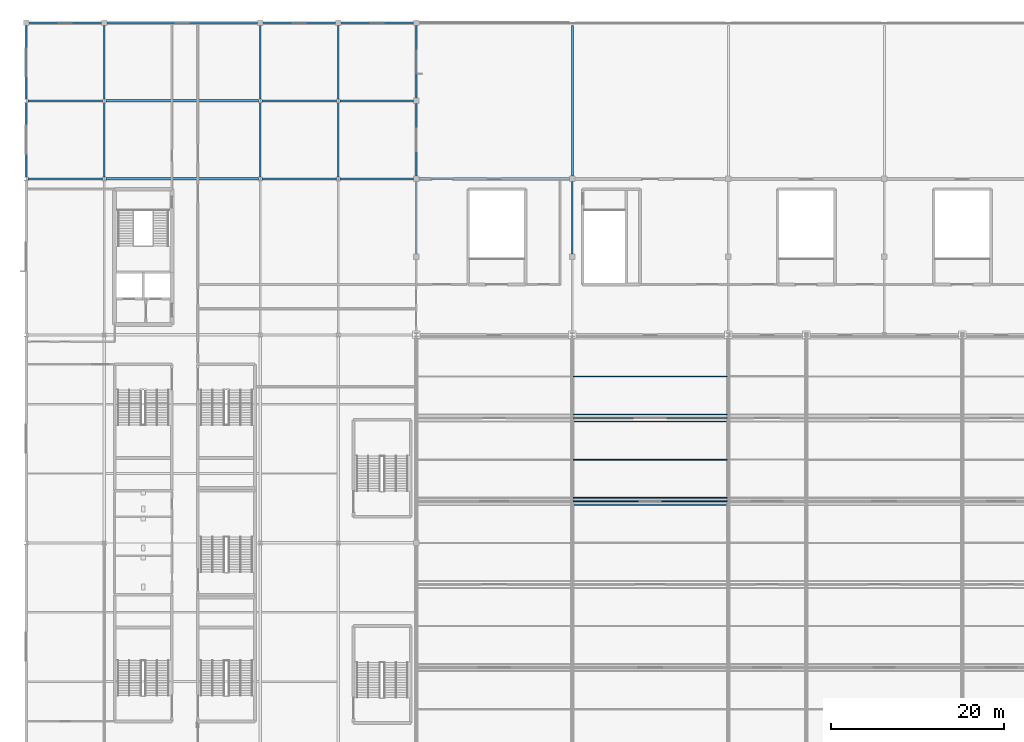
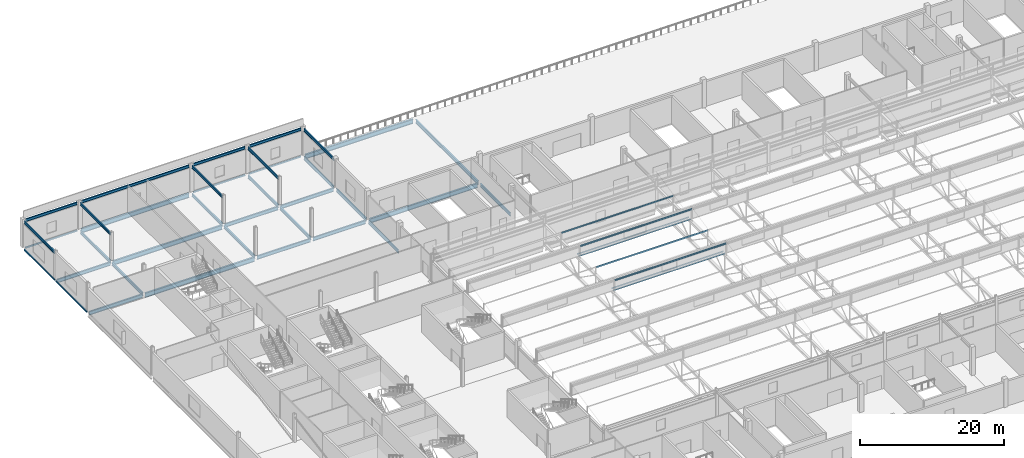
# One storey, part 47 of 136: 36 beams, 8 members.
"""IFC4 building model written with IfcOpenShell, lengths in metres."""

from ifc_helpers import new_model, si_unit, direction, frame, origin, origin_2d, place, context, subcontext, project, spatial, hollow_rectangle, i_section, u_section, extrude, material, material_profile, profile_set, type_object, element, save


model = new_model("IFC4")

# Units and contexts
model_context = context("Model", 3, precision=1e-05, world=origin(), true_north=direction((0.0, 1.0)))
body_context = subcontext(model_context, "Body", "Model", "MODEL_VIEW")
ifc_project = project(units=[si_unit("LENGTHUNIT", "METRE"), si_unit("AREAUNIT", "SQUARE_METRE"), si_unit("VOLUMEUNIT", "CUBIC_METRE"), si_unit("PLANEANGLEUNIT", "RADIAN"), si_unit("MASSUNIT", "GRAM", prefix="KILO")], contexts=[model_context])

# Site, building, storey
site_placement = place(None, origin())
site = spatial("IfcSite", under=ifc_project, at=site_placement, CompositionType="ELEMENT")
building_placement = place(site_placement, origin())
building = spatial("IfcBuilding", under=site, at=building_placement, Name="Kisiwana Market Hall", CompositionType="ELEMENT")
storey_placement = place(building_placement, frame((0.0, 0.0, 16.800048828125)))
storey = spatial("IfcBuildingStorey", under=building, at=storey_placement, Name="L03", CompositionType="ELEMENT", Elevation=16.800048828125)

# Beams
ifc_material_1 = material(Name="Steel S355", Category="steel")
ifc_material_profile_1 = material_profile(ifc_material_1, i_section(OverallWidth=0.19140625, OverallDepth=0.4599609375, WebThickness=0.010009765625, FlangeThickness=0.01611328125, at=origin_2d()), Name="UB 457x191x82")
ifc_profile_set_1 = profile_set([ifc_material_profile_1], Name="Steel S355")
beam_type_1 = type_object("IfcBeamType", Name="BM-GIRD-UB457H", PredefinedType="BEAM", material=ifc_profile_set_1)
beam_1_placement = place(storey_placement, frame((0.321044921875, 120.0, 4.27783203125), z_axis=(1.0, 0.0, 0.0), x_axis=(0.0, 1.0, 0.0)))
element("IfcBeam", 1, at=beam_1_placement, inside=storey, type_object=beam_type_1, Name="Roof girder B-1110", PredefinedType="BEAM", context=body_context, shape_type="SweptSolid", body=[
    extrude(i_section(OverallWidth=0.19140625, OverallDepth=0.4599609375, WebThickness=0.010009765625, FlangeThickness=0.01611328125, at=origin_2d()), origin(), (0.0, 0.0, 1.0), 8.35791015625),
])
beam_2_placement = place(storey_placement, frame((9.321044921875, 120.0, 4.27783203125), z_axis=(1.0, 0.0, 0.0), x_axis=(0.0, 1.0, 0.0)))
element("IfcBeam", 2, at=beam_2_placement, inside=storey, type_object=beam_type_1, Name="Roof girder B-1111", PredefinedType="BEAM", context=body_context, shape_type="SweptSolid", body=[
    extrude(i_section(OverallWidth=0.19140625, OverallDepth=0.4599609375, WebThickness=0.010009765625, FlangeThickness=0.01611328125, at=origin_2d()), origin(), (0.0, 0.0, 1.0), 17.35791015625),
])
for number, where, z_axis, x_axis, name in (
    (3, (27.321044921875, 120.0, 4.27783203125), (1.0, 0.0, 0.0), (0.0, 1.0, 0.0), "Roof girder B-1112"),
    (4, (36.321044921875, 120.0, 4.27783203125), (1.0, 0.0, 0.0), (0.0, 1.0, 0.0), "Roof girder B-1113"),
):
    element("IfcBeam", number, at=place(storey_placement, frame(where, z_axis=z_axis, x_axis=x_axis)), inside=storey, type_object=beam_type_1, Name=name, PredefinedType="BEAM", context=body_context, shape_type="SweptSolid", body=[
        extrude(i_section(OverallWidth=0.19140625, OverallDepth=0.4599609375, WebThickness=0.010009765625, FlangeThickness=0.01611328125, at=origin_2d()), origin(), (0.0, 0.0, 1.0), 8.35791015625),
    ])
for number, where, z_axis, x_axis, name in (
    (5, (0.0, 111.19287109375, 4.27783203125), (0.0, 1.0, 0.0), (-1.0, 0.0, 0.0), "Roof girder B-1114"),
    (6, (9.0, 111.19287109375, 4.27783203125), (0.0, 1.0, 0.0), (-1.0, 0.0, 0.0), "Roof girder B-1115"),
    (7, (27.0, 111.19287109375, 4.27783203125), (0.0, 1.0, 0.0), (-1.0, 0.0, 0.0), "Roof girder B-1116"),
    (8, (36.0, 111.19287109375, 4.27783203125), (0.0, 1.0, 0.0), (-1.0, 0.0, 0.0), "Roof girder B-1117"),
):
    element("IfcBeam", number, at=place(storey_placement, frame(where, z_axis=z_axis, x_axis=x_axis)), inside=storey, type_object=beam_type_1, Name=name, PredefinedType="BEAM", context=body_context, shape_type="SweptSolid", body=[
        extrude(i_section(OverallWidth=0.19140625, OverallDepth=0.4599609375, WebThickness=0.010009765625, FlangeThickness=0.01611328125, at=origin_2d()), origin(), (0.0, 0.0, 1.0), 8.486083984375),
    ])
beam_3_placement = place(storey_placement, frame((45.0, 111.321044921875, 4.27783203125), z_axis=(0.0, 1.0, 0.0), x_axis=(-1.0, 0.0, 0.0)))
element("IfcBeam", 9, at=beam_3_placement, inside=storey, type_object=beam_type_1, Name="Roof girder B-1118", PredefinedType="BEAM", context=body_context, shape_type="SweptSolid", body=[
    extrude(i_section(OverallWidth=0.19140625, OverallDepth=0.4599609375, WebThickness=0.010009765625, FlangeThickness=0.01611328125, at=origin_2d()), origin(), (0.0, 0.0, 1.0), 8.35791015625),
])
ifc_material_2 = material(Name="Steel S355", Category="steel")
ifc_material_profile_2 = material_profile(ifc_material_2, i_section(OverallWidth=0.209228515625, OverallDepth=0.533203125, WebThickness=0.010009765625, FlangeThickness=0.015625, at=origin_2d()), Name="UB 533x210x92")
ifc_profile_set_2 = profile_set([ifc_material_profile_2], Name="Steel S355")
beam_type_2 = type_object("IfcBeamType", Name="BM-GIRD-UB533", PredefinedType="BEAM", material=ifc_profile_set_2)
beam_4_placement = place(storey_placement, frame((9.0, 102.2041015625, -0.5166015625), z_axis=(0.0, 1.0, 0.0), x_axis=(-1.0, 0.0, 0.0)))
element("IfcBeam", 10, at=beam_4_placement, inside=storey, type_object=beam_type_2, Name="Primary girder B-0859", PredefinedType="BEAM", context=body_context, shape_type="SweptSolid", body=[
    extrude(i_section(OverallWidth=0.209228515625, OverallDepth=0.533203125, WebThickness=0.010009765625, FlangeThickness=0.015625, at=origin_2d()), origin(), (0.0, 0.0, 1.0), 8.60302734375),
])
beam_5_placement = place(storey_placement, frame((9.0, 111.19287109375, -0.5166015625), z_axis=(0.0, 1.0, 0.0), x_axis=(-1.0, 0.0, 0.0)))
element("IfcBeam", 11, at=beam_5_placement, inside=storey, type_object=beam_type_2, Name="Primary girder B-0860", PredefinedType="BEAM", context=body_context, shape_type="SweptSolid", body=[
    extrude(i_section(OverallWidth=0.209228515625, OverallDepth=0.533203125, WebThickness=0.010009765625, FlangeThickness=0.015625, at=origin_2d()), origin(), (0.0, 0.0, 1.0), 8.486083984375),
])
beam_6_placement = place(storey_placement, frame((27.0, 102.2041015625, -0.5166015625), z_axis=(0.0, 1.0, 0.0), x_axis=(-1.0, 0.0, 0.0)))
element("IfcBeam", 12, at=beam_6_placement, inside=storey, type_object=beam_type_2, Name="Primary girder B-0865", PredefinedType="BEAM", context=body_context, shape_type="SweptSolid", body=[
    extrude(i_section(OverallWidth=0.209228515625, OverallDepth=0.533203125, WebThickness=0.010009765625, FlangeThickness=0.015625, at=origin_2d()), origin(), (0.0, 0.0, 1.0), 8.60302734375),
])
beam_7_placement = place(storey_placement, frame((27.0, 111.19287109375, -0.5166015625), z_axis=(0.0, 1.0, 0.0), x_axis=(-1.0, 0.0, 0.0)))
element("IfcBeam", 13, at=beam_7_placement, inside=storey, type_object=beam_type_2, Name="Primary girder B-0866", PredefinedType="BEAM", context=body_context, shape_type="SweptSolid", body=[
    extrude(i_section(OverallWidth=0.209228515625, OverallDepth=0.533203125, WebThickness=0.010009765625, FlangeThickness=0.015625, at=origin_2d()), origin(), (0.0, 0.0, 1.0), 8.486083984375),
])
beam_8_placement = place(storey_placement, frame((36.0, 102.2041015625, -0.5166015625), z_axis=(0.0, 1.0, 0.0), x_axis=(-1.0, 0.0, 0.0)))
element("IfcBeam", 14, at=beam_8_placement, inside=storey, type_object=beam_type_2, Name="Primary girder B-0873", PredefinedType="BEAM", context=body_context, shape_type="SweptSolid", body=[
    extrude(i_section(OverallWidth=0.209228515625, OverallDepth=0.533203125, WebThickness=0.010009765625, FlangeThickness=0.015625, at=origin_2d()), origin(), (0.0, 0.0, 1.0), 8.60302734375),
])
beam_9_placement = place(storey_placement, frame((36.0, 111.19287109375, -0.5166015625), z_axis=(0.0, 1.0, 0.0), x_axis=(-1.0, 0.0, 0.0)))
element("IfcBeam", 15, at=beam_9_placement, inside=storey, type_object=beam_type_2, Name="Primary girder B-0874", PredefinedType="BEAM", context=body_context, shape_type="SweptSolid", body=[
    extrude(i_section(OverallWidth=0.209228515625, OverallDepth=0.533203125, WebThickness=0.010009765625, FlangeThickness=0.015625, at=origin_2d()), origin(), (0.0, 0.0, 1.0), 8.486083984375),
])
for number, where, z_axis, x_axis, name in (
    (16, (45.0, 93.321044921875, -0.5166015625), (0.0, 1.0, 0.0), (-1.0, 0.0, 0.0), "Primary girder B-0880"),
    (17, (45.0, 102.321044921875, -0.524658203125), (0.0, 1.0, 0.0), (-1.0, 0.0, 0.0), "Primary girder B-0881"),
    (18, (45.0, 111.321044921875, -0.524658203125), (0.0, 1.0, 0.0), (-1.0, 0.0, 0.0), "Primary girder B-0882"),
    (19, (63.0, 93.321044921875, -0.5166015625), (0.0, 1.0, 0.0), (-1.0, 0.0, 0.0), "Primary girder B-0887"),
):
    element("IfcBeam", number, at=place(storey_placement, frame(where, z_axis=z_axis, x_axis=x_axis)), inside=storey, type_object=beam_type_2, Name=name, PredefinedType="BEAM", context=body_context, shape_type="SweptSolid", body=[
        extrude(i_section(OverallWidth=0.209228515625, OverallDepth=0.533203125, WebThickness=0.010009765625, FlangeThickness=0.015625, at=origin_2d()), origin(), (0.0, 0.0, 1.0), 8.35791015625),
    ])
ifc_material_3 = material(Name="Steel S355", Category="steel")
ifc_material_profile_3 = material_profile(ifc_material_3, i_section(OverallWidth=0.22900390625, OverallDepth=0.6123046875, WebThickness=0.011962890625, FlangeThickness=0.01953125, at=origin_2d()), Name="UB 610x229x125")
ifc_profile_set_3 = profile_set([ifc_material_profile_3], Name="Steel S355")
beam_type_3 = type_object("IfcBeamType", Name="BM-GIRD-UB610H", PredefinedType="BEAM", material=ifc_profile_set_3)
for number, where, z_axis, x_axis, name in (
    (20, (0.198974609375, 102.0, -0.55615234375), (1.0, 0.0, 0.0), (0.0, 1.0, 0.0), "Floor beam B-1041"),
    (21, (27.198974609375, 102.0, -0.55615234375), (1.0, 0.0, 0.0), (0.0, 1.0, 0.0), "Floor beam B-1043"),
):
    element("IfcBeam", number, at=place(storey_placement, frame(where, z_axis=z_axis, x_axis=x_axis)), inside=storey, type_object=beam_type_3, Name=name, PredefinedType="BEAM", context=body_context, shape_type="SweptSolid", body=[
        extrude(i_section(OverallWidth=0.22900390625, OverallDepth=0.6123046875, WebThickness=0.011962890625, FlangeThickness=0.01953125, at=origin_2d()), origin(), (0.0, 0.0, 1.0), 8.60205078125),
    ])
beam_10_placement = place(storey_placement, frame((36.198974609375, 102.0, -0.55615234375), z_axis=(1.0, 0.0, 0.0), x_axis=(0.0, 1.0, 0.0)))
element("IfcBeam", 22, at=beam_10_placement, inside=storey, type_object=beam_type_3, Name="Floor beam B-1044", PredefinedType="BEAM", context=body_context, shape_type="SweptSolid", body=[
    extrude(i_section(OverallWidth=0.22900390625, OverallDepth=0.6123046875, WebThickness=0.011962890625, FlangeThickness=0.01953125, at=origin_2d()), origin(), (0.0, 0.0, 1.0), 8.47998046875),
])
for number, where, z_axis, x_axis, name in (
    (23, (0.195556640625, 111.0, -0.55615234375), (1.0, 0.0, 0.0), (0.0, 1.0, 0.0), "Floor beam B-1055"),
    (24, (27.195556640625, 111.0, -0.55615234375), (1.0, 0.0, 0.0), (0.0, 1.0, 0.0), "Floor beam B-1057"),
):
    element("IfcBeam", number, at=place(storey_placement, frame(where, z_axis=z_axis, x_axis=x_axis)), inside=storey, type_object=beam_type_3, Name=name, PredefinedType="BEAM", context=body_context, shape_type="SweptSolid", body=[
        extrude(i_section(OverallWidth=0.22900390625, OverallDepth=0.6123046875, WebThickness=0.011962890625, FlangeThickness=0.01953125, at=origin_2d()), origin(), (0.0, 0.0, 1.0), 8.60888671875),
    ])
beam_11_placement = place(storey_placement, frame((36.195556640625, 111.0, -0.55615234375), z_axis=(1.0, 0.0, 0.0), x_axis=(0.0, 1.0, 0.0)))
element("IfcBeam", 25, at=beam_11_placement, inside=storey, type_object=beam_type_3, Name="Floor beam B-1058", PredefinedType="BEAM", context=body_context, shape_type="SweptSolid", body=[
    extrude(i_section(OverallWidth=0.22900390625, OverallDepth=0.6123046875, WebThickness=0.011962890625, FlangeThickness=0.01953125, at=origin_2d()), origin(), (0.0, 0.0, 1.0), 8.4833984375),
])
beam_12_placement = place(storey_placement, frame((63.0, 102.321044921875, -0.564208984375), z_axis=(0.0, 1.0, 0.0), x_axis=(-1.0, 0.0, 0.0)))
element("IfcBeam", 26, at=beam_12_placement, inside=storey, type_object=beam_type_3, Name="Primary girder B-0888", PredefinedType="BEAM", context=body_context, shape_type="SweptSolid", body=[
    extrude(i_section(OverallWidth=0.22900390625, OverallDepth=0.6123046875, WebThickness=0.011962890625, FlangeThickness=0.01953125, at=origin_2d()), origin(), (0.0, 0.0, 1.0), 17.35791015625),
])
ifc_material_4 = material(Name="Steel S355", Category="steel")
ifc_material_profile_4 = material_profile(ifc_material_4, i_section(OverallWidth=0.2666015625, OverallDepth=0.76220703125, WebThickness=0.014404296875, FlangeThickness=0.021484375, at=origin_2d()), Name="UB 762x267x173")
ifc_profile_set_4 = profile_set([ifc_material_profile_4], Name="Steel S355")
beam_type_4 = type_object("IfcBeamType", Name="BM-GIRD-UB762", PredefinedType="BEAM", material=ifc_profile_set_4)
beam_13_placement = place(storey_placement, frame((9.198974609375, 102.0, -0.631103515625), z_axis=(1.0, 0.0, 0.0), x_axis=(0.0, 1.0, 0.0)))
element("IfcBeam", 27, at=beam_13_placement, inside=storey, type_object=beam_type_4, Name="Floor beam B-1042", PredefinedType="BEAM", context=body_context, shape_type="SweptSolid", body=[
    extrude(i_section(OverallWidth=0.2666015625, OverallDepth=0.76220703125, WebThickness=0.014404296875, FlangeThickness=0.021484375, at=origin_2d()), origin(), (0.0, 0.0, 1.0), 17.60205078125),
])
beam_14_placement = place(storey_placement, frame((45.321044921875, 102.0, -0.63916015625), z_axis=(1.0, 0.0, 0.0), x_axis=(0.0, 1.0, 0.0)))
element("IfcBeam", 28, at=beam_14_placement, inside=storey, type_object=beam_type_4, Name="Floor beam B-1045", PredefinedType="BEAM", context=body_context, shape_type="SweptSolid", body=[
    extrude(i_section(OverallWidth=0.2666015625, OverallDepth=0.76220703125, WebThickness=0.014404296875, FlangeThickness=0.021484375, at=origin_2d()), origin(), (0.0, 0.0, 1.0), 17.35791015625),
])
beam_15_placement = place(storey_placement, frame((9.195556640625, 111.0, -0.631103515625), z_axis=(1.0, 0.0, 0.0), x_axis=(0.0, 1.0, 0.0)))
element("IfcBeam", 29, at=beam_15_placement, inside=storey, type_object=beam_type_4, Name="Floor beam B-1056", PredefinedType="BEAM", context=body_context, shape_type="SweptSolid", body=[
    extrude(i_section(OverallWidth=0.2666015625, OverallDepth=0.76220703125, WebThickness=0.014404296875, FlangeThickness=0.021484375, at=origin_2d()), origin(), (0.0, 0.0, 1.0), 17.60888671875),
])
for number, where, z_axis, x_axis, name in (
    (30, (9.321044921875, 120.0, -0.631103515625), (1.0, 0.0, 0.0), (0.0, 1.0, 0.0), "Floor beam B-1064"),
    (31, (45.321044921875, 120.0, -0.63916015625), (1.0, 0.0, 0.0), (0.0, 1.0, 0.0), "Floor beam B-1067"),
):
    element("IfcBeam", number, at=place(storey_placement, frame(where, z_axis=z_axis, x_axis=x_axis)), inside=storey, type_object=beam_type_4, Name=name, PredefinedType="BEAM", context=body_context, shape_type="SweptSolid", body=[
        extrude(i_section(OverallWidth=0.2666015625, OverallDepth=0.76220703125, WebThickness=0.014404296875, FlangeThickness=0.021484375, at=origin_2d()), origin(), (0.0, 0.0, 1.0), 17.35791015625),
    ])
ifc_material_5 = material(Name="Steel S355", Category="steel")
ifc_material_profile_5 = material_profile(ifc_material_5, hollow_rectangle(XDim=0.14990234375, YDim=0.25, WallThickness=0.010009765625, at=origin_2d()), Name="RHS 250x150x10.0")
ifc_profile_set_5 = profile_set([ifc_material_profile_5], Name="Steel S355")
beam_type_5 = type_object("IfcBeamType", Name="BM-SPAN-RHS250", PredefinedType="SPANDREL", material=ifc_profile_set_5)
for number, where, z_axis, x_axis, name in (
    (32, (0.321044921875, 120.0, -0.375), (1.0, 0.0, 0.0), (0.0, 1.0, 0.0), "Floor beam B-1063"),
    (33, (27.321044921875, 120.0, -0.375), (1.0, 0.0, 0.0), (0.0, 1.0, 0.0), "Floor beam B-1065"),
    (34, (36.321044921875, 120.0, -0.375), (1.0, 0.0, 0.0), (0.0, 1.0, 0.0), "Floor beam B-1066"),
):
    element("IfcBeam", number, at=place(storey_placement, frame(where, z_axis=z_axis, x_axis=x_axis)), inside=storey, type_object=beam_type_5, Name=name, PredefinedType="SPANDREL", context=body_context, shape_type="SweptSolid", body=[
        extrude(hollow_rectangle(XDim=0.14990234375, YDim=0.25, WallThickness=0.010009765625, at=origin_2d()), origin(), (0.0, 0.0, 1.0), 8.35791015625),
    ])
beam_16_placement = place(storey_placement, frame((0.0, 102.2041015625, -0.375), z_axis=(0.0, 1.0, 0.0), x_axis=(-1.0, 0.0, 0.0)))
element("IfcBeam", 35, at=beam_16_placement, inside=storey, type_object=beam_type_5, Name="Floor beam B-1083", PredefinedType="SPANDREL", context=body_context, shape_type="SweptSolid", body=[
    extrude(hollow_rectangle(XDim=0.14990234375, YDim=0.25, WallThickness=0.010009765625, at=origin_2d()), origin(), (0.0, 0.0, 1.0), 8.60302734375),
])
beam_17_placement = place(storey_placement, frame((0.0, 111.19287109375, -0.375), z_axis=(0.0, 1.0, 0.0), x_axis=(-1.0, 0.0, 0.0)))
element("IfcBeam", 36, at=beam_17_placement, inside=storey, type_object=beam_type_5, Name="Floor beam B-1084", PredefinedType="SPANDREL", context=body_context, shape_type="SweptSolid", body=[
    extrude(hollow_rectangle(XDim=0.14990234375, YDim=0.25, WallThickness=0.010009765625, at=origin_2d()), origin(), (0.0, 0.0, 1.0), 8.486083984375),
])

# Members
ifc_material_6 = material(Name="Steel S355", Category="steel")
ifc_material_profile_6 = material_profile(ifc_material_6, u_section(Depth=0.199951171875, FlangeWidth=0.074951171875, WebThickness=0.006103515625, FlangeThickness=0.012451171875, at=origin_2d()), Name="PFC 200x75x23")
ifc_profile_set_6 = profile_set([ifc_material_profile_6], Name="Steel S355")
member_type_1 = type_object("IfcMemberType", Name="MB-PURL-PFC200", PredefinedType="PURLIN", material=ifc_profile_set_6)
member_1_placement = place(storey_placement, frame((63.0, 79.199951171875, 4.936279296875), z_axis=(1.0, 0.0, 0.0), x_axis=(0.0, 1.0, 0.0)))
element("IfcMember", 37, at=member_1_placement, inside=storey, type_object=member_type_1, Name="Sawtooth mid-slope roof purlin 68 M-0120", PredefinedType="PURLIN", context=body_context, shape_type="SweptSolid", body=[
    extrude(u_section(Depth=0.199951171875, FlangeWidth=0.074951171875, WebThickness=0.006103515625, FlangeThickness=0.012451171875, at=origin_2d()), origin(), (0.0, 0.0, 1.0), 18.0),
])
ifc_material_7 = material(Name="Steel S355", Category="steel")
ifc_material_profile_7 = material_profile(ifc_material_7, u_section(Depth=0.260009765625, FlangeWidth=0.090087890625, WebThickness=0.008056640625, FlangeThickness=0.013916015625, at=origin_2d()), Name="PFC 260x90x35")
ifc_profile_set_7 = profile_set([ifc_material_profile_7], Name="Steel S355")
member_type_2 = type_object("IfcMemberType", Name="MB-PURL-PFC260", PredefinedType="PURLIN", material=ifc_profile_set_7)
member_2_placement = place(storey_placement, frame((63.0, 69.60009765625, 4.90625), z_axis=(1.0, 0.0, 0.0), x_axis=(0.0, 1.0, 0.0)))
element("IfcMember", 38, at=member_2_placement, inside=storey, type_object=member_type_2, Name="Sawtooth mid-slope roof purlin 53 M-0113", PredefinedType="PURLIN", context=body_context, shape_type="SweptSolid", body=[
    extrude(u_section(Depth=0.260009765625, FlangeWidth=0.090087890625, WebThickness=0.008056640625, FlangeThickness=0.013916015625, at=origin_2d()), origin(), (0.0, 0.0, 1.0), 18.0),
])
ifc_material_8 = material(Name="Steel S355", Category="steel")
ifc_material_profile_8 = material_profile(ifc_material_8, hollow_rectangle(XDim=0.10009765625, YDim=0.199951171875, WallThickness=0.008056640625, at=origin_2d()), Name="RHS 200x100x8.0")
ifc_profile_set_8 = profile_set([ifc_material_profile_8], Name="Steel S355")
member_type_3 = type_object("IfcMemberType", Name="MB-ROOF-PURLIN1", PredefinedType="PURLIN", material=ifc_profile_set_8)
for number, where, z_axis, x_axis, name in (
    (39, (63.0, 64.800048828125, 3.90087890625), (1.0, 0.0, 0.0), (0.0, 1.0, 0.0), "Sawtooth roof purlin 272 M-0173"),
    (40, (63.0, 65.199951171875, 4.0009765625), (1.0, 0.0, 0.0), (0.0, 1.0, 0.0), "Sawtooth roof purlin 315 M-0192"),
    (41, (63.0, 74.39990234375, 3.90087890625), (1.0, 0.0, 0.0), (0.0, 1.0, 0.0), "Sawtooth roof purlin 317 M-0194"),
    (42, (63.0, 74.800048828125, 4.0009765625), (1.0, 0.0, 0.0), (0.0, 1.0, 0.0), "Sawtooth roof purlin 351 M-0212"),
):
    element("IfcMember", number, at=place(storey_placement, frame(where, z_axis=z_axis, x_axis=x_axis)), inside=storey, type_object=member_type_3, Name=name, PredefinedType="PURLIN", context=body_context, shape_type="SweptSolid", body=[
        extrude(hollow_rectangle(XDim=0.10009765625, YDim=0.199951171875, WallThickness=0.008056640625, at=origin_2d()), origin(), (0.0, 0.0, 1.0), 18.0),
    ])
ifc_material_9 = material(Name="Steel S355", Category="steel")
ifc_material_profile_9 = material_profile(ifc_material_9, i_section(OverallWidth=0.146484375, OverallDepth=0.256103515625, WebThickness=0.00634765625, FlangeThickness=0.010986328125, at=origin_2d()), Name="UB 254x146x37")
ifc_profile_set_9 = profile_set([ifc_material_profile_9], Name="Steel S355")
member_type_4 = type_object("IfcMemberType", Name="MB-ROOF-PURLIN2", PredefinedType="PURLIN", material=ifc_profile_set_9)
for number, where, z_axis, x_axis, name in (
    (43, (63.0, 64.39990234375, 5.843505859375), (1.0, 0.0, 0.0), (0.0, 1.0, 0.0), "Sawtooth roof purlin 271 M-0172"),
    (44, (63.0, 74.0, 5.843505859375), (1.0, 0.0, 0.0), (0.0, 1.0, 0.0), "Sawtooth roof purlin 316 M-0193"),
):
    element("IfcMember", number, at=place(storey_placement, frame(where, z_axis=z_axis, x_axis=x_axis)), inside=storey, type_object=member_type_4, Name=name, PredefinedType="PURLIN", context=body_context, shape_type="SweptSolid", body=[
        extrude(i_section(OverallWidth=0.146484375, OverallDepth=0.256103515625, WebThickness=0.00634765625, FlangeThickness=0.010986328125, at=origin_2d()), origin(), (0.0, 0.0, 1.0), 18.0),
    ])

save(model, "model.ifc")
